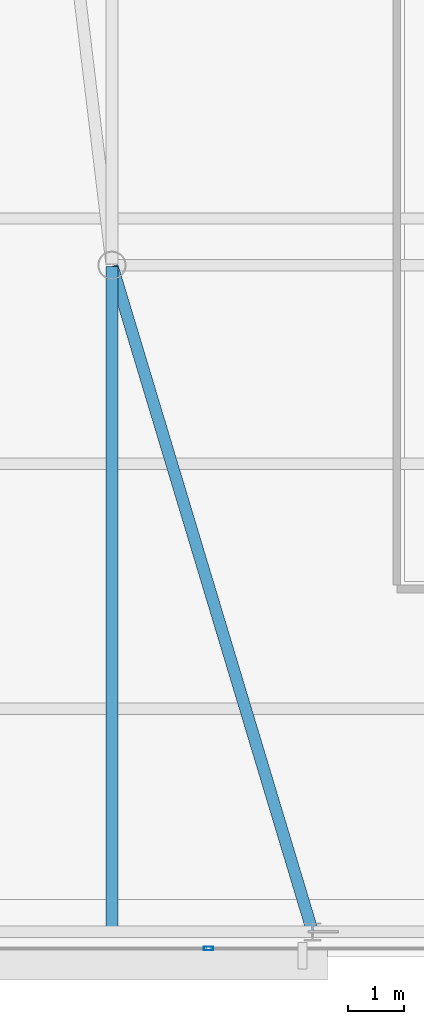
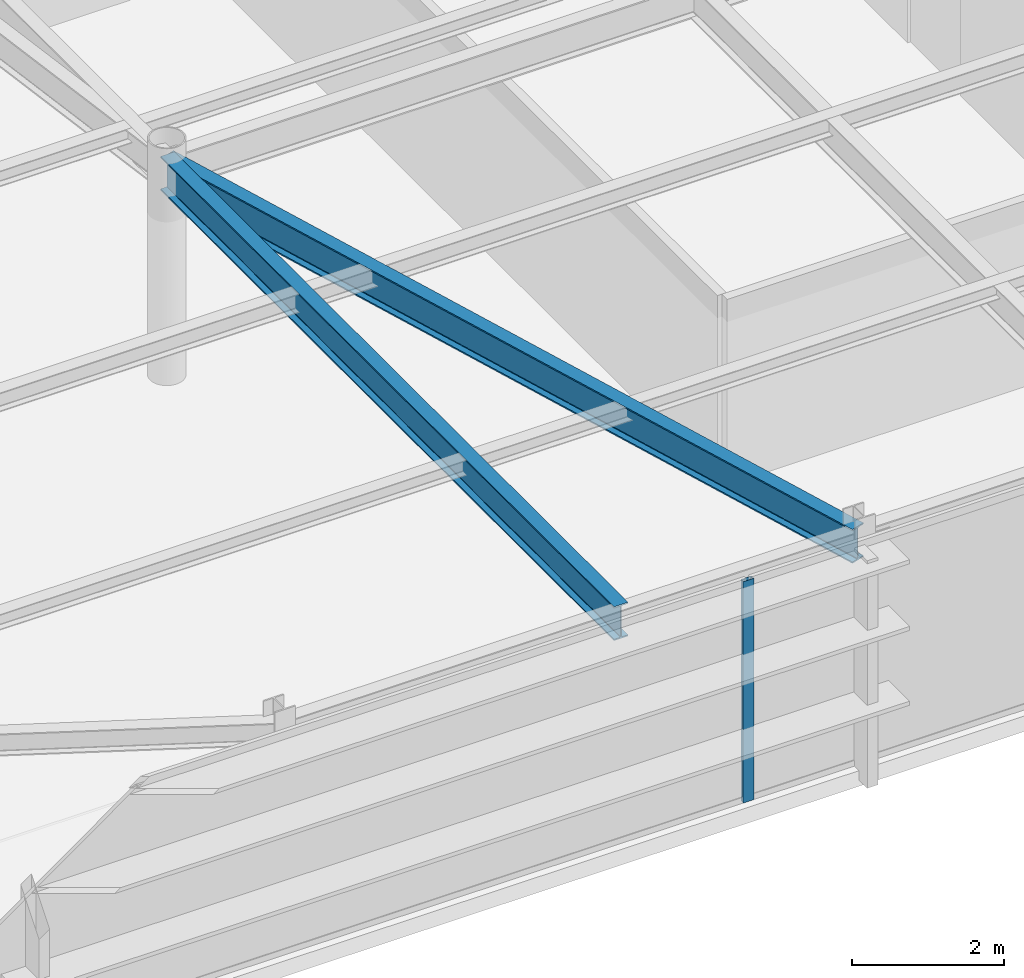
# One storey, part 6 of 24: 2 beams, 1 member, 1 element without a shape of its own.
"""IFC4 building model written with IfcOpenShell, lengths in metres."""

from ifc_helpers import new_model, si_unit, direction, frame, origin, origin_2d, place, context, subcontext, project, spatial, hollow_rectangle, i_section, extrude, source, transform, mapped, material, layer, layer_set, material_profile, profile_set, type_object, type_shapes, element, aggregate, save


model = new_model("IFC4")

# Units and contexts
model_context = context("Model", 3, precision=1e-05, world=origin(), true_north=direction((0.0, 1.0)))
body_context = subcontext(model_context, "Body", "Model", "MODEL_VIEW")
ifc_project = project(units=[si_unit("LENGTHUNIT", "METRE"), si_unit("AREAUNIT", "SQUARE_METRE"), si_unit("VOLUMEUNIT", "CUBIC_METRE"), si_unit("PLANEANGLEUNIT", "RADIAN"), si_unit("MASSUNIT", "GRAM", prefix="KILO")], contexts=[model_context])

# Site, building, storey
site_placement = place(None, origin())
site = spatial("IfcSite", under=ifc_project, at=site_placement, CompositionType="ELEMENT")
building_placement = place(site_placement, origin())
building = spatial("IfcBuilding", under=site, at=building_placement, Name="Varnel Quay Broadcast Tower", CompositionType="ELEMENT")
storey_placement = place(building_placement, frame((0.0, 0.0, 269.800048828125)))
storey = spatial("IfcBuildingStorey", under=building, at=storey_placement, Name="L67", CompositionType="ELEMENT", Elevation=269.800048828125)

# Beams
ifc_material_1 = material(Name="Structural Steel CSA G40.21 350W", Category="steel")
ifc_material_profile_1 = material_profile(ifc_material_1, i_section(OverallWidth=0.2119140625, OverallDepth=0.5439453125, WebThickness=0.01318359375, FlangeThickness=0.021240234375, FilletRadius=0.013916015625, at=origin_2d()), Name="W530X123")
ifc_profile_set_1 = profile_set([ifc_material_profile_1], Name="Structural Steel CSA G40.21 350W")
beam_type = type_object("IfcBeamType", Name="Girder_W530X123", PredefinedType="BEAM", material=ifc_profile_set_1)
shared_shape_1 = source(origin(), body_context, "Body", "SweptSolid", [
    extrude(i_section(OverallWidth=0.2119140625, OverallDepth=0.5439453125, WebThickness=0.01318359375, FlangeThickness=0.021240234375, FilletRadius=0.013916015625, at=origin_2d()), origin(), (0.0, 0.0, 1.0), 12.449951171875),
])
beam_1_placement = place(storey_placement, frame((29.59423828125, 13.669189453125, 3.27783203125), z_axis=(-0.28822390679, 0.957563042078, 0.0), x_axis=(-0.957563042078, -0.28822390679, 0.0)))
element("IfcBeam", 1, at=beam_1_placement, inside=storey, type_object=beam_type, Name="L67 Primary Girder TC-S2-IC-01", PredefinedType="BEAM", context=body_context, shape_type="MappedRepresentation", body=[
    mapped(shared_shape_1, transform((0.0, 0.0, 0.0), x_axis=(1.0, 0.0, 0.0), y_axis=(0.0, 1.0, 0.0), z_axis=(0.0, 0.0, 1.0), scale=1.0)),
])
shared_shape_2 = source(origin(), body_context, "Body", "SweptSolid", [
    extrude(i_section(OverallWidth=0.2119140625, OverallDepth=0.5439453125, WebThickness=0.01318359375, FlangeThickness=0.021240234375, FilletRadius=0.013916015625, at=origin_2d()), origin(), (0.0, 0.0, 1.0), 11.920166015625),
])
type_shapes(beam_type, [shared_shape_1, shared_shape_2])
beam_2_placement = place(storey_placement, frame((26.0, 13.669921875, 3.27783203125), z_axis=(0.0, 1.0, 0.0), x_axis=(-1.0, 0.0, 0.0)))
element("IfcBeam", 2, at=beam_2_placement, inside=storey, type_object=beam_type, Name="L67 N-S Joist Header IC-01S", PredefinedType="BEAM", context=body_context, shape_type="MappedRepresentation", body=[
    mapped(shared_shape_2, transform((0.0, 0.0, 0.0), x_axis=(1.0, 0.0, 0.0), y_axis=(0.0, 1.0, 0.0), z_axis=(0.0, 0.0, 1.0), scale=1.0)),
])

# Curtain wall, member
ifc_material_2 = material(Name="Anodised Bronze Aluminium 6063-T6", Category="aluminium")
ifc_layer = layer(ifc_material_2, 0.18994140625, Name="Anodised Bronze Aluminium 6063-T6")
ifc_layer_set = layer_set([ifc_layer], Name="Anodised Bronze Aluminium 6063-T6")
curtain_wall_type = type_object("IfcCurtainWallType", Name="CW_UpperTower", PredefinedType="NOTDEFINED", material=ifc_layer_set)
curtain_wall_placement = place(storey_placement, origin())
curtain_wall = element("IfcCurtainWall", 3, at=curtain_wall_placement, inside=storey, type_object=curtain_wall_type, Name="L67 South Unitised Curtain Wall 1", PredefinedType="NOTDEFINED")
ifc_material_profile_2 = material_profile(ifc_material_2, hollow_rectangle(XDim=0.06494140625, YDim=0.1650390625, WallThickness=0.00341796875, at=origin_2d()), Name="ALU65X165X3.5")
ifc_profile_set_2 = profile_set([ifc_material_profile_2], Name="Anodised Bronze Aluminium 6063-T6")
member_type = type_object("IfcMemberType", Name="Mull_CWS-03", PredefinedType="MULLION", material=ifc_profile_set_2)
shared_shape_3 = source(origin(), body_context, "Body", "SweptSolid", [
    extrude(hollow_rectangle(XDim=0.06494140625, YDim=0.1650390625, WallThickness=0.00341796875, at=origin_2d()), origin(), (0.0, 0.0, 1.0), 3.550048828125),
])
type_shapes(member_type, [shared_shape_3])
member_placement = place(storey_placement, frame((27.7333984375, 13.35009765625, 0.0), z_axis=(0.0, 0.0, 1.0), x_axis=(0.0, 1.0, 0.0)))
member = element("IfcMember", 4, at=member_placement, type_object=member_type, Name="CWS-03 mullion 2", PredefinedType="MULLION", context=body_context, shape_type="MappedRepresentation", body=[
    mapped(shared_shape_3, transform((0.0, 0.0, 0.0), x_axis=(1.0, 0.0, 0.0), y_axis=(0.0, 1.0, 0.0), z_axis=(0.0, 0.0, 1.0), scale=1.0)),
])
aggregate(curtain_wall, [member])

save(model, "model.ifc")
